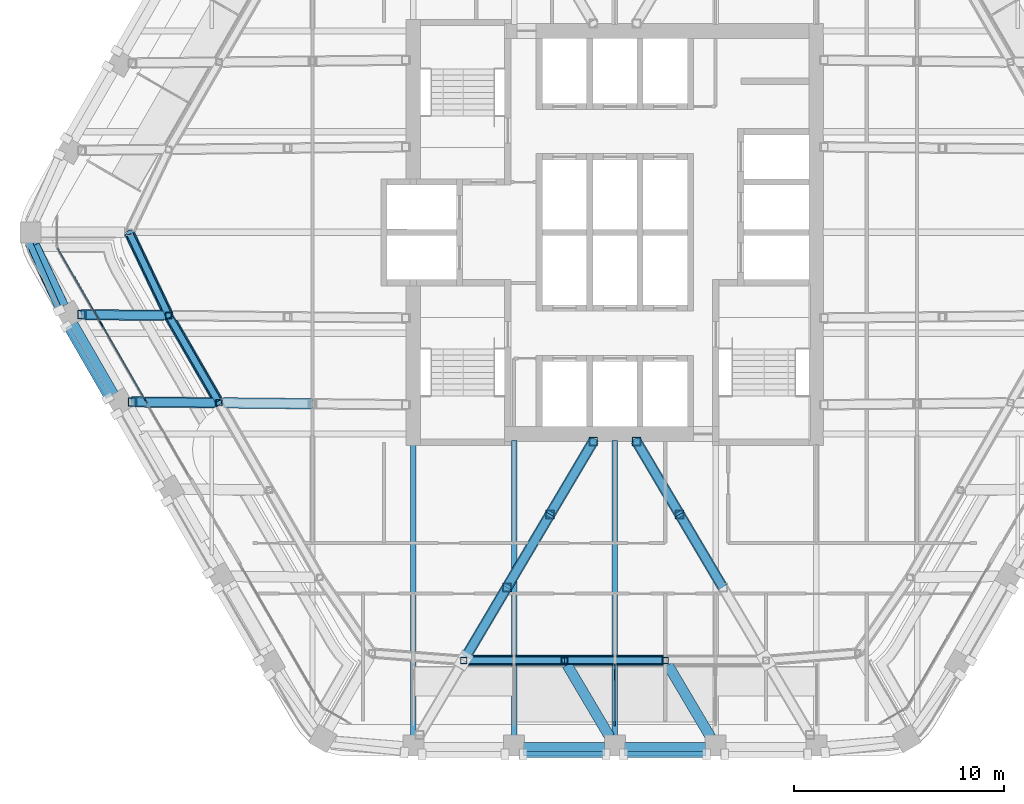
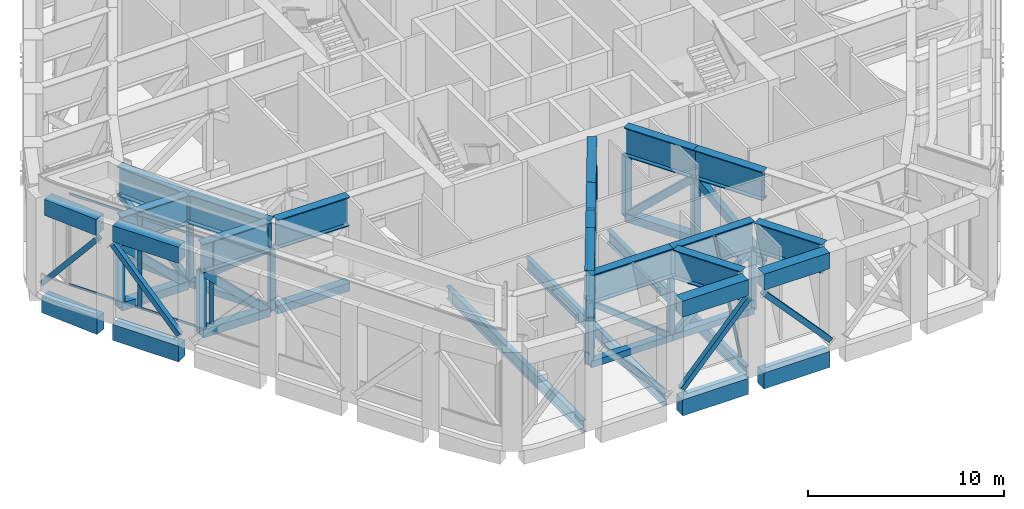
# One storey, part 3 of 24: 46 members, 25 beams, 2 elements without a shape of their own.
"""IFC4 building model written with IfcOpenShell, lengths in metres."""

from ifc_helpers import new_model, si_unit, direction, frame, origin, origin_2d, place, context, subcontext, project, spatial, rectangle, hollow_rectangle, i_section, extrude, material, material_profile, profile_set, type_object, element, aggregate, save


model = new_model("IFC4")

# Units and contexts
model_context = context("Model", 3, precision=1e-05, world=origin(), true_north=direction((0.0, 1.0)))
body_context = subcontext(model_context, "Body", "Model", "MODEL_VIEW")
ifc_project = project(units=[si_unit("LENGTHUNIT", "METRE"), si_unit("AREAUNIT", "SQUARE_METRE"), si_unit("VOLUMEUNIT", "CUBIC_METRE"), si_unit("PLANEANGLEUNIT", "RADIAN"), si_unit("MASSUNIT", "GRAM", prefix="KILO")], contexts=[model_context])

# Site, building, storey
site_placement = place(None, origin())
site = spatial("IfcSite", under=ifc_project, at=site_placement, CompositionType="ELEMENT")
building_placement = place(site_placement, origin())
building = spatial("IfcBuilding", under=site, at=building_placement, Name="Kolab Exchange Tower", CompositionType="ELEMENT")
storey_placement = place(building_placement, frame((0.0, 0.0, 216.800048828125)))
storey = spatial("IfcBuildingStorey", under=building, at=storey_placement, Name="L47", CompositionType="ELEMENT", Elevation=216.800048828125)

# Members
ifc_material_1 = material(Name="Steel S355", Category="steel")
ifc_material_profile_1 = material_profile(ifc_material_1, hollow_rectangle(XDim=0.300048828125, YDim=0.300048828125, WallThickness=0.01611328125, at=origin_2d()), Name="HSS300X300X16")
ifc_profile_set_1 = profile_set([ifc_material_profile_1], Name="Steel S355")
member_type_1 = type_object("IfcMemberType", Name="BELT TRUSS BRACE HSS300X300X16", PredefinedType="BRACE", material=ifc_profile_set_1)
for number, where, z_axis, x_axis, name in (
    (1, (2.39990234375, -20.384521484375, 4.050048828125), (-0.784029651106, 0.0, -0.62072337332), (0.0, -1.0, 0.0), "mem/L47/ring/d-F4-03"),
    (2, (-2.39990234375, -20.384521484375, 0.25), (-0.784045015832, 0.0, 0.620703965791), (0.0, -1.0, 0.0), "mem/L47/ring/d-F4-04"),
):
    element("IfcMember", number, at=place(storey_placement, frame(where, z_axis=z_axis, x_axis=x_axis)), inside=storey, type_object=member_type_1, Name=name, PredefinedType="BRACE", context=body_context, shape_type="SweptSolid", body=[
        extrude(hollow_rectangle(XDim=0.300048828125, YDim=0.300048828125, WallThickness=0.01611328125, at=origin_2d()), origin(), (0.0, 0.0, 1.0), 6.1220703125),
    ])
member_1_placement = place(storey_placement, frame((-18.853515625, -8.11376953125, 4.050048828125), z_axis=(-0.392038591319, 0.678999195849, -0.620697861244), x_axis=(-0.866015339567, -0.500017431331, 0.0)))
element("IfcMember", 3, at=member_1_placement, inside=storey, type_object=member_type_1, Name="mem/L47/ring/d-F5-04", PredefinedType="BRACE", context=body_context, shape_type="SweptSolid", body=[
    extrude(hollow_rectangle(XDim=0.300048828125, YDim=0.300048828125, WallThickness=0.01611328125, at=origin_2d()), origin(), (0.0, 0.0, 1.0), 6.122314453125),
])
member_2_placement = place(storey_placement, frame((-21.253662109375, -3.956787109375, 0.25), z_axis=(-0.324540203016, 0.682207920918, 0.655183950706), x_axis=(-0.903025238378, -0.429587498482, 0.0)))
element("IfcMember", 4, at=member_2_placement, inside=storey, type_object=member_type_1, Name="mem/L47/ring/d-F5-05", PredefinedType="BRACE", context=body_context, shape_type="SweptSolid", body=[
    extrude(hollow_rectangle(XDim=0.300048828125, YDim=0.300048828125, WallThickness=0.01611328125, at=origin_2d()), origin(), (0.0, 0.0, 1.0), 5.800048828125),
])
for number, where, z_axis, x_axis, name in (
    (5, (4.3671875, -24.864990234375, 0.39990234375), (-0.675035778984, 0.0, 0.73778499381), (0.0, -1.0, 0.0), "mem/L47/fb/F4-03"),
    (6, (-0.432861328125, -24.864990234375, 4.699951171875), (-0.675035778984, 0.0, -0.73778499381), (0.0, -1.0, 0.0), "mem/L47/fb/F4-04"),
):
    element("IfcMember", number, at=place(storey_placement, frame(where, z_axis=z_axis, x_axis=x_axis)), inside=storey, type_object=member_type_1, Name=name, PredefinedType="BRACE", context=body_context, shape_type="SweptSolid", body=[
        extrude(hollow_rectangle(XDim=0.300048828125, YDim=0.300048828125, WallThickness=0.01611328125, at=origin_2d()), origin(), (0.0, 0.0, 1.0), 5.828369140625),
    ])
member_3_placement = place(storey_placement, frame((-24.150390625, -7.900634765625, 0.39990234375), z_axis=(-0.337470471595, 0.584582973076, 0.737818696152), x_axis=(-0.866050206543, -0.499957037901, 0.0)))
element("IfcMember", 7, at=member_3_placement, inside=storey, type_object=member_type_1, Name="mem/L47/fb/F5-05", PredefinedType="BRACE", context=body_context, shape_type="SweptSolid", body=[
    extrude(hollow_rectangle(XDim=0.300048828125, YDim=0.300048828125, WallThickness=0.01611328125, at=origin_2d()), origin(), (0.0, 0.0, 1.0), 5.828125),
])
member_4_placement = place(storey_placement, frame((-26.47412109375, -3.69921875, 4.699951171875), z_axis=(-0.257411493708, 0.584668732952, -0.769351542285), x_axis=(-0.915224267781, -0.402944834519, 0.0)))
element("IfcMember", 8, at=member_4_placement, inside=storey, type_object=member_type_1, Name="mem/L47/fb/F5-06", PredefinedType="BRACE", context=body_context, shape_type="SweptSolid", body=[
    extrude(hollow_rectangle(XDim=0.300048828125, YDim=0.300048828125, WallThickness=0.01611328125, at=origin_2d()), origin(), (0.0, 0.0, 1.0), 5.589111328125),
])
ifc_material_profile_2 = material_profile(ifc_material_1, hollow_rectangle(XDim=0.39990234375, YDim=0.39990234375, WallThickness=0.02001953125, at=origin_2d()), Name="HSS400X400X20")
ifc_profile_set_2 = profile_set([ifc_material_profile_2], Name="Steel S355")
member_type_2 = type_object("IfcMemberType", Name="BELT TRUSS CHORD HSS400X400X20", PredefinedType="CHORD", material=ifc_profile_set_2)
member_5_placement = place(storey_placement, frame((2.39990234375, -20.384521484375, 0.25), z_axis=(-1.0, 0.0, 0.0), x_axis=(0.0, -1.0, 0.0)))
element("IfcMember", 9, at=member_5_placement, inside=storey, type_object=member_type_2, Name="mem/L47/ring/c-F4-03", PredefinedType="CHORD", context=body_context, shape_type="SweptSolid", body=[
    extrude(hollow_rectangle(XDim=0.39990234375, YDim=0.39990234375, WallThickness=0.02001953125, at=origin_2d()), origin(), (0.0, 0.0, 1.0), 4.7998046875),
])
for number, where, z_axis, x_axis, name in (
    (10, (-2.39990234375, -20.384521484375, 0.25), (-1.0, 0.0, 0.0), (0.0, -1.0, 0.0), "mem/L47/ring/c-F4-04"),
    (11, (-18.853515625, -8.11376953125, 0.25), (-0.500017431331, 0.866015339567, 0.0), (-0.866015339567, -0.500017431331, 0.0), "mem/L47/ring/c-F5-04"),
):
    element("IfcMember", number, at=place(storey_placement, frame(where, z_axis=z_axis, x_axis=x_axis)), inside=storey, type_object=member_type_2, Name=name, PredefinedType="CHORD", context=body_context, shape_type="SweptSolid", body=[
        extrude(hollow_rectangle(XDim=0.39990234375, YDim=0.39990234375, WallThickness=0.02001953125, at=origin_2d()), origin(), (0.0, 0.0, 1.0), 4.800048828125),
    ])
member_6_placement = place(storey_placement, frame((-21.253662109375, -3.956787109375, 0.25), z_axis=(-0.429587498482, 0.903025238378, 0.0), x_axis=(-0.903025238378, -0.429587498482, 0.0)))
element("IfcMember", 12, at=member_6_placement, inside=storey, type_object=member_type_2, Name="mem/L47/ring/c-F5-05", PredefinedType="CHORD", context=body_context, shape_type="SweptSolid", body=[
    extrude(hollow_rectangle(XDim=0.39990234375, YDim=0.39990234375, WallThickness=0.02001953125, at=origin_2d()), origin(), (0.0, 0.0, 1.0), 4.381591796875),
])

# Beams
ifc_material_profile_3 = material_profile(ifc_material_1, i_section(OverallWidth=0.5, OverallDepth=1.800048828125, WebThickness=0.031982421875, FlangeThickness=0.050048828125, at=origin_2d()), Name="PG1800X500")
ifc_profile_set_3 = profile_set([ifc_material_profile_3], Name="Steel S355")
beam_type_1 = type_object("IfcBeamType", Name="BELT TRUSS GIRDER PG1800X500", PredefinedType="BEAM", material=ifc_profile_set_3)
beam_1_placement = place(storey_placement, frame((2.39990234375, -20.384521484375, 4.949951171875), z_axis=(-1.0, 0.0, 0.0), x_axis=(0.0, -1.0, 0.0)))
element("IfcBeam", 13, at=beam_1_placement, inside=storey, type_object=beam_type_1, Name="beam/L47/bg/F4-run1", PredefinedType="BEAM", context=body_context, shape_type="SweptSolid", body=[
    extrude(i_section(OverallWidth=0.5, OverallDepth=1.800048828125, WebThickness=0.031982421875, FlangeThickness=0.050048828125, at=origin_2d()), origin(), (0.0, 0.0, 1.0), 4.7998046875),
])
for number, where, z_axis, x_axis, name in (
    (14, (-2.39990234375, -20.384521484375, 4.949951171875), (-1.0, 0.0, 0.0), (0.0, -1.0, 0.0), "beam/L47/bg/F4-run2"),
    (15, (-18.853515625, -8.11376953125, 4.949951171875), (-0.500017431331, 0.866015339567, 0.0), (-0.866015339567, -0.500017431331, 0.0), "beam/L47/bg/F5-run2"),
):
    element("IfcBeam", number, at=place(storey_placement, frame(where, z_axis=z_axis, x_axis=x_axis)), inside=storey, type_object=beam_type_1, Name=name, PredefinedType="BEAM", context=body_context, shape_type="SweptSolid", body=[
        extrude(i_section(OverallWidth=0.5, OverallDepth=1.800048828125, WebThickness=0.031982421875, FlangeThickness=0.050048828125, at=origin_2d()), origin(), (0.0, 0.0, 1.0), 4.800048828125),
    ])
beam_2_placement = place(storey_placement, frame((-21.253662109375, -3.956787109375, 4.949951171875), z_axis=(-0.429587498482, 0.903025238378, 0.0), x_axis=(-0.903025238378, -0.429587498482, 0.0)))
element("IfcBeam", 16, at=beam_2_placement, inside=storey, type_object=beam_type_1, Name="beam/L47/bg/F5-out", PredefinedType="BEAM", context=body_context, shape_type="SweptSolid", body=[
    extrude(i_section(OverallWidth=0.5, OverallDepth=1.800048828125, WebThickness=0.031982421875, FlangeThickness=0.050048828125, at=origin_2d()), origin(), (0.0, 0.0, 1.0), 4.381591796875),
])

# Members
ifc_material_profile_4 = material_profile(ifc_material_1, hollow_rectangle(XDim=0.300048828125, YDim=0.300048828125, WallThickness=0.01611328125, at=origin_2d()), Name="HSS300X300X16")
ifc_profile_set_4 = profile_set([ifc_material_profile_4], Name="Steel S355")
member_type_3 = type_object("IfcMemberType", Name="BELT TRUSS POST HSS300X300X16", PredefinedType="POST", material=ifc_profile_set_4)
for number, where, z_axis, x_axis, name in (
    (17, (2.39990234375, -20.384521484375, 0.25), (0.0, 0.0, 1.0), (1.0, 0.0, 0.0), "mem/L47/ring/p-F4-03"),
    (18, (-2.39990234375, -20.384521484375, 0.25), (0.0, 0.0, 1.0), (1.0, 0.0, 0.0), "mem/L47/ring/p-F4-04"),
    (19, (-7.199951171875, -20.384521484375, 0.25), (0.0, 0.0, 1.0), (1.0, 0.0, 0.0), "mem/L47/ring/p-F4-05"),
    (20, (-18.853515625, -8.11376953125, 0.25), (0.0, 0.0, 1.0), (1.0, 0.0, 0.0), "mem/L47/ring/p-F5-04"),
    (21, (-21.253662109375, -3.956787109375, 0.25), (0.0, 0.0, 1.0), (1.0, 0.0, 0.0), "mem/L47/ring/p-F5-05"),
):
    element("IfcMember", number, at=place(storey_placement, frame(where, z_axis=z_axis, x_axis=x_axis)), inside=storey, type_object=member_type_3, Name=name, PredefinedType="POST", context=body_context, shape_type="SweptSolid", body=[
        extrude(hollow_rectangle(XDim=0.300048828125, YDim=0.300048828125, WallThickness=0.01611328125, at=origin_2d()), origin(), (0.0, 0.0, 1.0), 3.800048828125),
    ])

# Curtain wall, member
ifc_material_2 = material(Name="Aluminium EN AW-6063 T6", Category="aluminium")
curtain_wall_type_1 = type_object("IfcCurtainWallType", Name="CANTED BAND CURTAIN WALL", PredefinedType="NOTDEFINED", material=ifc_material_2)
curtain_wall_1_placement = place(storey_placement, origin())
curtain_wall_1 = element("IfcCurtainWall", 22, at=curtain_wall_1_placement, inside=storey, type_object=curtain_wall_type_1, Name="band/L47/F4", PredefinedType="NOTDEFINED")
ifc_material_profile_5 = material_profile(ifc_material_2, rectangle(XDim=0.06005859375, YDim=0.300048828125, at=origin_2d()), Name="RECT 60X300")
ifc_profile_set_5 = profile_set([ifc_material_profile_5], Name="Aluminium EN AW-6063 T6")
member_type_4 = type_object("IfcMemberType", Name="CANTED BAND MULLION 60 X 300", PredefinedType="MULLION", material=ifc_profile_set_5)
member_7_placement = place(storey_placement, frame((0.0, -23.361572265625, -0.10009765625), z_axis=(0.0, 0.410878778787, 0.911689985216), x_axis=(-1.0, 0.0, 0.0)))
member_7 = element("IfcMember", 23, at=member_7_placement, type_object=member_type_4, Name="Band mullion", PredefinedType="MULLION", context=body_context, shape_type="SweptSolid", body=[
    extrude(rectangle(XDim=0.06005859375, YDim=0.300048828125, at=origin_2d()), origin(), (0.0, 0.0, 1.0), 6.515380859375),
])
aggregate(curtain_wall_1, [member_7])

# Beams
ifc_material_profile_6 = material_profile(ifc_material_1, i_section(OverallWidth=0.26708984375, OverallDepth=0.761962890625, WebThickness=0.014404296875, FlangeThickness=0.021484375, at=origin_2d()), Name="W760X173")
ifc_profile_set_6 = profile_set([ifc_material_profile_6], Name="Steel S355")
beam_type_2 = type_object("IfcBeamType", Name="FLOOR BEAM W760X173", PredefinedType="BEAM", material=ifc_profile_set_6)
beam_3_placement = place(storey_placement, frame((-9.60009765625, -23.9814453125, -0.68115234375), z_axis=(0.0, 1.0, 0.0), x_axis=(-1.0, 0.0, 0.0)))
element("IfcBeam", 24, at=beam_3_placement, inside=storey, type_object=beam_type_2, Name="beam/L47/fr/007", PredefinedType="BEAM", context=body_context, shape_type="SweptSolid", body=[
    extrude(i_section(OverallWidth=0.26708984375, OverallDepth=0.761962890625, WebThickness=0.014404296875, FlangeThickness=0.021484375, at=origin_2d()), origin(), (0.0, 0.0, 1.0), 13.871337890625),
])
for number, where, z_axis, x_axis, name in (
    (25, (-4.800048828125, -23.9814453125, -0.68115234375), (0.0, 1.0, 0.0), (-1.0, 0.0, 0.0), "beam/L47/fr/009"),
    (26, (0.0, -23.9814453125, -0.68115234375), (0.0, 1.0, 0.0), (-1.0, 0.0, 0.0), "beam/L47/fr/011"),
):
    element("IfcBeam", number, at=place(storey_placement, frame(where, z_axis=z_axis, x_axis=x_axis)), inside=storey, type_object=beam_type_2, Name=name, PredefinedType="BEAM", context=body_context, shape_type="SweptSolid", body=[
        extrude(i_section(OverallWidth=0.26708984375, OverallDepth=0.761962890625, WebThickness=0.014404296875, FlangeThickness=0.021484375, at=origin_2d()), origin(), (0.0, 0.0, 1.0), 14.071533203125),
    ])

# Members
ifc_material_profile_7 = material_profile(ifc_material_1, hollow_rectangle(XDim=0.39990234375, YDim=0.39990234375, WallThickness=0.02001953125, at=origin_2d()), Name="HSS400X400X20")
ifc_profile_set_7 = profile_set([ifc_material_profile_7], Name="Steel S355")
member_type_5 = type_object("IfcMemberType", Name="OUTRIGGER BRACE HSS400X400X20", PredefinedType="BRACE", material=ifc_profile_set_7)
for number, where, z_axis, x_axis, name in (
    (27, (1.027099609375, -9.949951171875, 0.25), (0.370922315511, -0.627020672649, 0.685026796503), (0.860679878671, 0.509146488204, 0.0), "mem/L47/out/06/d00"),
    (28, (3.084716796875, -13.42822265625, 4.050048828125), (0.370922315511, -0.627020672649, -0.685026796503), (0.860679878671, 0.509146488204, 0.0), "mem/L47/out/06/d01"),
    (29, (-1.027099609375, -9.949951171875, 0.25), (-0.370922315511, -0.627020672649, 0.685026796503), (0.860679878671, -0.509146488204, 0.0), "mem/L47/out/07/d00"),
    (30, (-3.084716796875, -13.42822265625, 4.050048828125), (-0.370922315511, -0.627020672649, -0.685026796503), (0.860679878671, -0.509146488204, 0.0), "mem/L47/out/07/d01"),
):
    element("IfcMember", number, at=place(storey_placement, frame(where, z_axis=z_axis, x_axis=x_axis)), inside=storey, type_object=member_type_5, Name=name, PredefinedType="BRACE", context=body_context, shape_type="SweptSolid", body=[
        extrude(hollow_rectangle(XDim=0.39990234375, YDim=0.39990234375, WallThickness=0.02001953125, at=origin_2d()), origin(), (0.0, 0.0, 1.0), 5.54736328125),
    ])
member_8_placement = place(storey_placement, frame((-5.142333984375, -16.906494140625, 0.25), z_axis=(-0.361497251898, -0.61106156247, 0.704218363679), x_axis=(0.86067015266, -0.509162929051, 0.0)))
element("IfcMember", 31, at=member_8_placement, inside=storey, type_object=member_type_5, Name="mem/L47/out/07/d02", PredefinedType="BRACE", context=body_context, shape_type="SweptSolid", body=[
    extrude(hollow_rectangle(XDim=0.39990234375, YDim=0.39990234375, WallThickness=0.02001953125, at=origin_2d()), origin(), (0.0, 0.0, 1.0), 5.396240234375),
])
for number, where, z_axis, x_axis, name in (
    (32, (-19.063720703125, -8.111572265625, 0.25), (-0.718195745705, 0.007599481935, 0.695799625414), (-0.010580759602, -0.999944022196, 0.0), "mem/L47/out/08/d02"),
    (33, (-21.463623046875, -3.95458984375, 0.25), (-0.718195745705, 0.007599481935, 0.695799625414), (-0.010580759602, -0.999944022196, 0.0), "mem/L47/out/09/d02"),
):
    element("IfcMember", number, at=place(storey_placement, frame(where, z_axis=z_axis, x_axis=x_axis)), inside=storey, type_object=member_type_5, Name=name, PredefinedType="BRACE", context=body_context, shape_type="SweptSolid", body=[
        extrude(hollow_rectangle(XDim=0.39990234375, YDim=0.39990234375, WallThickness=0.02001953125, at=origin_2d()), origin(), (0.0, 0.0, 1.0), 5.46142578125),
    ])
ifc_material_profile_8 = material_profile(ifc_material_1, hollow_rectangle(XDim=0.5, YDim=0.5, WallThickness=0.02490234375, at=origin_2d()), Name="HSS500X500X25")
ifc_profile_set_8 = profile_set([ifc_material_profile_8], Name="Steel S355")
member_type_6 = type_object("IfcMemberType", Name="OUTRIGGER CHORD HSS500X500X25", PredefinedType="CHORD", material=ifc_profile_set_8)
for number, where, z_axis, x_axis, name in (
    (34, (1.027099609375, -9.949951171875, 0.25), (0.509146488204, -0.860679878671, 0.0), (0.860679878671, 0.509146488204, 0.0), "mem/L47/out/06/c00"),
    (35, (3.084716796875, -13.42822265625, 0.25), (0.509146488204, -0.860679878671, 0.0), (0.860679878671, 0.509146488204, 0.0), "mem/L47/out/06/c01"),
    (36, (-1.027099609375, -9.949951171875, 0.25), (-0.509146488204, -0.860679878671, 0.0), (0.860679878671, -0.509146488204, 0.0), "mem/L47/out/07/c00"),
    (37, (-3.084716796875, -13.42822265625, 0.25), (-0.509146488204, -0.860679878671, 0.0), (0.860679878671, -0.509146488204, 0.0), "mem/L47/out/07/c01"),
):
    element("IfcMember", number, at=place(storey_placement, frame(where, z_axis=z_axis, x_axis=x_axis)), inside=storey, type_object=member_type_6, Name=name, PredefinedType="CHORD", context=body_context, shape_type="SweptSolid", body=[
        extrude(hollow_rectangle(XDim=0.5, YDim=0.5, WallThickness=0.02490234375, at=origin_2d()), origin(), (0.0, 0.0, 1.0), 4.041259765625),
    ])
member_9_placement = place(storey_placement, frame((-5.142333984375, -16.906494140625, 0.25), z_axis=(-0.509162929051, -0.86067015266, 0.0), x_axis=(0.86067015266, -0.509162929051, 0.0)))
element("IfcMember", 38, at=member_9_placement, inside=storey, type_object=member_type_6, Name="mem/L47/out/07/c02", PredefinedType="CHORD", context=body_context, shape_type="SweptSolid", body=[
    extrude(hollow_rectangle(XDim=0.5, YDim=0.5, WallThickness=0.02490234375, at=origin_2d()), origin(), (0.0, 0.0, 1.0), 3.8310546875),
])
member_10_placement = place(storey_placement, frame((-14.40185546875, -8.1611328125, 0.25), z_axis=(-0.999943924974, 0.01058994372, 0.0), x_axis=(-0.01058994372, -0.999943924974, 0.0)))
element("IfcMember", 39, at=member_10_placement, inside=storey, type_object=member_type_6, Name="mem/L47/out/08/c01", PredefinedType="CHORD", context=body_context, shape_type="SweptSolid", body=[
    extrude(hollow_rectangle(XDim=0.5, YDim=0.5, WallThickness=0.02490234375, at=origin_2d()), origin(), (0.0, 0.0, 1.0), 4.241943359375),
])
for number, where, z_axis, x_axis, name in (
    (40, (-19.063720703125, -8.111572265625, 0.25), (-0.999944022196, 0.010580759602, 0.0), (-0.010580759602, -0.999944022196, 0.0), "mem/L47/out/08/c02"),
    (41, (-21.463623046875, -3.95458984375, 0.25), (-0.999944022196, 0.010580759602, 0.0), (-0.010580759602, -0.999944022196, 0.0), "mem/L47/out/09/c02"),
):
    element("IfcMember", number, at=place(storey_placement, frame(where, z_axis=z_axis, x_axis=x_axis)), inside=storey, type_object=member_type_6, Name=name, PredefinedType="CHORD", context=body_context, shape_type="SweptSolid", body=[
        extrude(hollow_rectangle(XDim=0.5, YDim=0.5, WallThickness=0.02490234375, at=origin_2d()), origin(), (0.0, 0.0, 1.0), 3.922607421875),
    ])

# Beams
ifc_material_profile_9 = material_profile(ifc_material_1, i_section(OverallWidth=0.5, OverallDepth=1.800048828125, WebThickness=0.031982421875, FlangeThickness=0.050048828125, at=origin_2d()), Name="PG1800X500")
ifc_profile_set_9 = profile_set([ifc_material_profile_9], Name="Steel S355")
beam_type_3 = type_object("IfcBeamType", Name="OUTRIGGER GIRDER PG1800X500", PredefinedType="BEAM", material=ifc_profile_set_9)
beam_4_placement = place(storey_placement, frame((1.006591796875, -9.91552734375, 4.949951171875), z_axis=(0.509172613949, -0.860664423108, 0.0), x_axis=(0.860664423108, 0.509172613949, 0.0)))
element("IfcBeam", 42, at=beam_4_placement, inside=storey, type_object=beam_type_3, Name="beam/L47/og/06-00", PredefinedType="BEAM", context=body_context, shape_type="SweptSolid", body=[
    extrude(i_section(OverallWidth=0.5, OverallDepth=1.800048828125, WebThickness=0.031982421875, FlangeThickness=0.050048828125, at=origin_2d()), origin(), (0.0, 0.0, 1.0), 4.081298828125),
])
beam_5_placement = place(storey_placement, frame((3.084716796875, -13.42822265625, 4.949951171875), z_axis=(0.509146488204, -0.860679878671, 0.0), x_axis=(0.860679878671, 0.509146488204, 0.0)))
element("IfcBeam", 43, at=beam_5_placement, inside=storey, type_object=beam_type_3, Name="beam/L47/og/06-01", PredefinedType="BEAM", context=body_context, shape_type="SweptSolid", body=[
    extrude(i_section(OverallWidth=0.5, OverallDepth=1.800048828125, WebThickness=0.031982421875, FlangeThickness=0.050048828125, at=origin_2d()), origin(), (0.0, 0.0, 1.0), 4.041259765625),
])
beam_6_placement = place(storey_placement, frame((-1.006591796875, -9.91552734375, 4.949951171875), z_axis=(-0.509172613949, -0.860664423108, 0.0), x_axis=(0.860664423108, -0.509172613949, 0.0)))
element("IfcBeam", 44, at=beam_6_placement, inside=storey, type_object=beam_type_3, Name="beam/L47/og/07-00", PredefinedType="BEAM", context=body_context, shape_type="SweptSolid", body=[
    extrude(i_section(OverallWidth=0.5, OverallDepth=1.800048828125, WebThickness=0.031982421875, FlangeThickness=0.050048828125, at=origin_2d()), origin(), (0.0, 0.0, 1.0), 4.081298828125),
])
beam_7_placement = place(storey_placement, frame((-3.084716796875, -13.42822265625, 4.949951171875), z_axis=(-0.509146488204, -0.860679878671, 0.0), x_axis=(0.860679878671, -0.509146488204, 0.0)))
element("IfcBeam", 45, at=beam_7_placement, inside=storey, type_object=beam_type_3, Name="beam/L47/og/07-01", PredefinedType="BEAM", context=body_context, shape_type="SweptSolid", body=[
    extrude(i_section(OverallWidth=0.5, OverallDepth=1.800048828125, WebThickness=0.031982421875, FlangeThickness=0.050048828125, at=origin_2d()), origin(), (0.0, 0.0, 1.0), 4.041259765625),
])
beam_8_placement = place(storey_placement, frame((-5.142333984375, -16.906494140625, 4.949951171875), z_axis=(-0.509162929051, -0.86067015266, 0.0), x_axis=(0.86067015266, -0.509162929051, 0.0)))
element("IfcBeam", 46, at=beam_8_placement, inside=storey, type_object=beam_type_3, Name="beam/L47/og/07-02", PredefinedType="BEAM", context=body_context, shape_type="SweptSolid", body=[
    extrude(i_section(OverallWidth=0.5, OverallDepth=1.800048828125, WebThickness=0.031982421875, FlangeThickness=0.050048828125, at=origin_2d()), origin(), (0.0, 0.0, 1.0), 3.8310546875),
])
beam_9_placement = place(storey_placement, frame((-14.40185546875, -8.1611328125, 4.949951171875), z_axis=(-0.999943924974, 0.01058994372, 0.0), x_axis=(-0.01058994372, -0.999943924974, 0.0)))
element("IfcBeam", 47, at=beam_9_placement, inside=storey, type_object=beam_type_3, Name="beam/L47/og/08-01", PredefinedType="BEAM", context=body_context, shape_type="SweptSolid", body=[
    extrude(i_section(OverallWidth=0.5, OverallDepth=1.800048828125, WebThickness=0.031982421875, FlangeThickness=0.050048828125, at=origin_2d()), origin(), (0.0, 0.0, 1.0), 4.241943359375),
])
for number, where, z_axis, x_axis, name in (
    (48, (-19.063720703125, -8.111572265625, 4.949951171875), (-0.999943849545, 0.010597063593, 0.0), (-0.010597063593, -0.999943849545, 0.0), "beam/L47/og/08-02"),
    (49, (-21.463623046875, -3.95458984375, 4.949951171875), (-0.999943849545, 0.010597063593, 0.0), (-0.010597063593, -0.999943849545, 0.0), "beam/L47/og/09-02"),
):
    element("IfcBeam", number, at=place(storey_placement, frame(where, z_axis=z_axis, x_axis=x_axis)), inside=storey, type_object=beam_type_3, Name=name, PredefinedType="BEAM", context=body_context, shape_type="SweptSolid", body=[
        extrude(i_section(OverallWidth=0.5, OverallDepth=1.800048828125, WebThickness=0.031982421875, FlangeThickness=0.050048828125, at=origin_2d()), origin(), (0.0, 0.0, 1.0), 3.962646484375),
    ])

# Members
ifc_material_profile_10 = material_profile(ifc_material_1, hollow_rectangle(XDim=0.39990234375, YDim=0.39990234375, WallThickness=0.02001953125, at=origin_2d()), Name="HSS400X400X20")
ifc_profile_set_10 = profile_set([ifc_material_profile_10], Name="Steel S355")
member_type_7 = type_object("IfcMemberType", Name="OUTRIGGER POST HSS400X400X20", PredefinedType="POST", material=ifc_profile_set_10)
for number, where, z_axis, x_axis, name in (
    (50, (1.027099609375, -9.949951171875, 0.25), (0.0, 0.0, 1.0), (1.0, 0.0, 0.0), "mem/L47/out/06/p00"),
    (51, (3.084716796875, -13.42822265625, 0.25), (0.0, 0.0, 1.0), (1.0, 0.0, 0.0), "mem/L47/out/06/p01"),
    (52, (-1.027099609375, -9.949951171875, 0.25), (0.0, 0.0, 1.0), (1.0, 0.0, 0.0), "mem/L47/out/07/p00"),
    (53, (-3.084716796875, -13.42822265625, 0.25), (0.0, 0.0, 1.0), (1.0, 0.0, 0.0), "mem/L47/out/07/p01"),
    (54, (-5.142333984375, -16.906494140625, 0.25), (0.0, 0.0, 1.0), (1.0, 0.0, 0.0), "mem/L47/out/07/p02"),
    (55, (-22.986083984375, -8.070068359375, 0.25), (0.0, 0.0, 1.0), (1.0, 0.0, 0.0), "mem/L47/out/08/p03"),
    (56, (-25.385986328125, -3.9130859375, 0.25), (0.0, 0.0, 1.0), (1.0, 0.0, 0.0), "mem/L47/out/09/p03"),
):
    element("IfcMember", number, at=place(storey_placement, frame(where, z_axis=z_axis, x_axis=x_axis)), inside=storey, type_object=member_type_7, Name=name, PredefinedType="POST", context=body_context, shape_type="SweptSolid", body=[
        extrude(hollow_rectangle(XDim=0.39990234375, YDim=0.39990234375, WallThickness=0.02001953125, at=origin_2d()), origin(), (0.0, 0.0, 1.0), 3.800048828125),
    ])

# Beams
ifc_material_3 = material(Name="Concrete C60/75", Category="concrete")
ifc_material_profile_11 = material_profile(ifc_material_3, rectangle(XDim=0.64990234375, YDim=1.0, at=origin_2d()), Name="RC650X1000")
ifc_profile_set_11 = profile_set([ifc_material_profile_11], Name="Concrete C60/75")
beam_type_4 = type_object("IfcBeamType", Name="SPANDREL BEAM 650X1000 C60/75", PredefinedType="BEAM", material=ifc_profile_set_11)
for number, where, z_axis, x_axis, name in (
    (57, (4.340087890625, -24.616455078125, -0.800048828125), (-1.0, 0.0, 0.0), (0.0, -1.0, 0.0), "beam/L47/sp/F4-03"),
    (58, (-0.4599609375, -24.616455078125, -0.800048828125), (-1.0, 0.0, 0.0), (0.0, -1.0, 0.0), "beam/L47/sp/F4-04"),
):
    element("IfcBeam", number, at=place(storey_placement, frame(where, z_axis=z_axis, x_axis=x_axis)), inside=storey, type_object=beam_type_4, Name=name, PredefinedType="BEAM", context=body_context, shape_type="SweptSolid", body=[
        extrude(rectangle(XDim=0.64990234375, YDim=1.0, at=origin_2d()), origin(), (0.0, 0.0, 1.0), 3.880126953125),
    ])
beam_10_placement = place(storey_placement, frame((-23.948486328125, -7.7529296875, -0.800048828125), z_axis=(-0.499996613652, 0.866027358884, 0.0), x_axis=(-0.866027358884, -0.499996613652, 0.0)))
element("IfcBeam", 59, at=beam_10_placement, inside=storey, type_object=beam_type_4, Name="beam/L47/sp/F5-05", PredefinedType="BEAM", context=body_context, shape_type="SweptSolid", body=[
    extrude(rectangle(XDim=0.64990234375, YDim=1.0, at=origin_2d()), origin(), (0.0, 0.0, 1.0), 3.8798828125),
])
beam_11_placement = place(storey_placement, frame((-26.316162109375, -3.5771484375, -0.800048828125), z_axis=(-0.428177731975, 0.903694544545, 0.0), x_axis=(-0.903694544545, -0.428177731975, 0.0)))
element("IfcBeam", 60, at=beam_11_placement, inside=storey, type_object=beam_type_4, Name="beam/L47/sp/F5-06", PredefinedType="BEAM", context=body_context, shape_type="SweptSolid", body=[
    extrude(rectangle(XDim=0.64990234375, YDim=1.0, at=origin_2d()), origin(), (0.0, 0.0, 1.0), 3.445068359375),
])
for number, where, z_axis, x_axis, name in (
    (61, (4.340087890625, -24.616455078125, 5.349853515625), (-1.0, 0.0, 0.0), (0.0, -1.0, 0.0), "beam/L47/cp/F4-03"),
    (62, (-0.4599609375, -24.616455078125, 5.349853515625), (-1.0, 0.0, 0.0), (0.0, -1.0, 0.0), "beam/L47/cp/F4-04"),
):
    element("IfcBeam", number, at=place(storey_placement, frame(where, z_axis=z_axis, x_axis=x_axis)), inside=storey, type_object=beam_type_4, Name=name, PredefinedType="BEAM", context=body_context, shape_type="SweptSolid", body=[
        extrude(rectangle(XDim=0.64990234375, YDim=1.0, at=origin_2d()), origin(), (0.0, 0.0, 1.0), 3.880126953125),
    ])
beam_12_placement = place(storey_placement, frame((-23.948486328125, -7.7529296875, 5.349853515625), z_axis=(-0.499996613652, 0.866027358884, 0.0), x_axis=(-0.866027358884, -0.499996613652, 0.0)))
element("IfcBeam", 63, at=beam_12_placement, inside=storey, type_object=beam_type_4, Name="beam/L47/cp/F5-05", PredefinedType="BEAM", context=body_context, shape_type="SweptSolid", body=[
    extrude(rectangle(XDim=0.64990234375, YDim=1.0, at=origin_2d()), origin(), (0.0, 0.0, 1.0), 3.8798828125),
])
beam_13_placement = place(storey_placement, frame((-26.33935546875, -3.533935546875, 5.349853515625), z_axis=(-0.431584797896, 0.902072370836, 0.0), x_axis=(-0.902072370836, -0.431584797896, 0.0)))
element("IfcBeam", 64, at=beam_13_placement, inside=storey, type_object=beam_type_4, Name="beam/L47/cp/F5-06", PredefinedType="BEAM", context=body_context, shape_type="SweptSolid", body=[
    extrude(rectangle(XDim=0.64990234375, YDim=1.0, at=origin_2d()), origin(), (0.0, 0.0, 1.0), 3.206787109375),
])
ifc_material_profile_12 = material_profile(ifc_material_1, i_section(OverallWidth=0.5, OverallDepth=1.800048828125, WebThickness=0.031982421875, FlangeThickness=0.050048828125, at=origin_2d()), Name="PG1800X500")
ifc_profile_set_12 = profile_set([ifc_material_profile_12], Name="Steel S355")
beam_type_5 = type_object("IfcBeamType", Name="TRANSFER GIRDER PG1800X500", PredefinedType="BEAM", material=ifc_profile_set_12)
for number, where, z_axis, x_axis, name in (
    (65, (2.52734375, -20.599853515625, 4.949951171875), (0.509177309019, -0.860661645468, 0.0), (0.860661645468, 0.509177309019, 0.0), "beam/L47/tg/F4-03"),
    (66, (-2.272705078125, -20.599853515625, 4.949951171875), (0.509177309019, -0.860661645468, 0.0), (0.860661645468, 0.509177309019, 0.0), "beam/L47/tg/F4-04"),
):
    element("IfcBeam", number, at=place(storey_placement, frame(where, z_axis=z_axis, x_axis=x_axis)), inside=storey, type_object=beam_type_5, Name=name, PredefinedType="BEAM", context=body_context, shape_type="SweptSolid", body=[
        extrude(i_section(OverallWidth=0.5, OverallDepth=1.800048828125, WebThickness=0.031982421875, FlangeThickness=0.050048828125, at=origin_2d()), origin(), (0.0, 0.0, 1.0), 3.983642578125),
    ])

# Curtain wall, members
curtain_wall_type_2 = type_object("IfcCurtainWallType", Name="UNITISED UPPER MID ZONE DOUBLE HEIGHT BELT CURTAIN WALL", PredefinedType="NOTDEFINED", material=ifc_material_2)
curtain_wall_2_placement = place(storey_placement, origin())
curtain_wall_2 = element("IfcCurtainWall", 67, at=curtain_wall_2_placement, inside=storey, type_object=curtain_wall_type_2, Name="cw/L47/F5-2", PredefinedType="NOTDEFINED")
ifc_material_profile_13 = material_profile(ifc_material_2, rectangle(XDim=0.06005859375, YDim=0.260009765625, at=origin_2d()), Name="RECT 60X260")
ifc_profile_set_13 = profile_set([ifc_material_profile_13], Name="Aluminium EN AW-6063 T6")
member_type_8 = type_object("IfcMemberType", Name="UNITISED UPPER MID ZONE DOUBLE HEIGHT BELT MULLION 60 X 260", PredefinedType="MULLION", material=ifc_profile_set_13)
member_11_placement = place(storey_placement, frame((-22.343017578125, -8.02392578125, 0.0), z_axis=(0.0, 0.0, 1.0), x_axis=(-0.866025427826, -0.499999958358, 0.0)))
member_11 = element("IfcMember", 68, at=member_11_placement, type_object=member_type_8, Name="CW11 mullion 2", PredefinedType="MULLION", context=body_context, shape_type="SweptSolid", body=[
    extrude(rectangle(XDim=0.06005859375, YDim=0.260009765625, at=origin_2d()), origin(), (0.0, 0.0, 1.0), 5.699951171875),
])
member_12_placement = place(storey_placement, frame((-24.454345703125, -4.366943359375, 0.0), z_axis=(0.0, 0.0, 1.0), x_axis=(-0.866025427826, -0.499999958358, 0.0)))
member_12 = element("IfcMember", 69, at=member_12_placement, type_object=member_type_8, Name="CW11 mullion 3", PredefinedType="MULLION", context=body_context, shape_type="SweptSolid", body=[
    extrude(rectangle(XDim=0.06005859375, YDim=0.260009765625, at=origin_2d()), origin(), (0.0, 0.0, 1.0), 5.699951171875),
])
ifc_material_profile_14 = material_profile(ifc_material_2, rectangle(XDim=0.06005859375, YDim=0.139892578125, at=origin_2d()), Name="RECT 60X140")
ifc_profile_set_14 = profile_set([ifc_material_profile_14], Name="Aluminium EN AW-6063 T6")
member_type_9 = type_object("IfcMemberType", Name="UNITISED UPPER MID ZONE DOUBLE HEIGHT BELT TRANSOM 60 X 140", PredefinedType="USERDEFINED", material=ifc_profile_set_14)
member_13_placement = place(storey_placement, frame((-22.35791015625, -7.997802734375, 0.030029296875), z_axis=(-0.49999322259, 0.866029316688, 0.0), x_axis=(-0.866029316688, -0.49999322259, 0.0)))
member_13 = element("IfcMember", 70, at=member_13_placement, type_object=member_type_9, Name="CW11 transom 2.1", ObjectType="TRANSOM", PredefinedType="USERDEFINED", context=body_context, shape_type="SweptSolid", body=[
    extrude(rectangle(XDim=0.06005859375, YDim=0.139892578125, at=origin_2d()), origin(), (0.0, 0.0, 1.0), 4.16259765625),
])
member_14_placement = place(storey_placement, frame((-22.35791015625, -7.997802734375, 5.669921875), z_axis=(-0.49999322259, 0.866029316688, 0.0), x_axis=(-0.866029316688, -0.49999322259, 0.0)))
member_14 = element("IfcMember", 71, at=member_14_placement, type_object=member_type_9, Name="CW11 transom 2.2", ObjectType="TRANSOM", PredefinedType="USERDEFINED", context=body_context, shape_type="SweptSolid", body=[
    extrude(rectangle(XDim=0.06005859375, YDim=0.139892578125, at=origin_2d()), origin(), (0.0, 0.0, 1.0), 4.16259765625),
])
member_15_placement = place(storey_placement, frame((-24.46923828125, -4.3408203125, 0.030029296875), z_axis=(-0.500027577057, 0.866009481578, 0.0), x_axis=(-0.866009481578, -0.500027577057, 0.0)))
member_15 = element("IfcMember", 72, at=member_15_placement, type_object=member_type_9, Name="CW11 transom 3.1", ObjectType="TRANSOM", PredefinedType="USERDEFINED", context=body_context, shape_type="SweptSolid", body=[
    extrude(rectangle(XDim=0.06005859375, YDim=0.139892578125, at=origin_2d()), origin(), (0.0, 0.0, 1.0), 4.132568359375),
])
member_16_placement = place(storey_placement, frame((-24.46923828125, -4.3408203125, 5.669921875), z_axis=(-0.500027577057, 0.866009481578, 0.0), x_axis=(-0.866009481578, -0.500027577057, 0.0)))
member_16 = element("IfcMember", 73, at=member_16_placement, type_object=member_type_9, Name="CW11 transom 3.2", ObjectType="TRANSOM", PredefinedType="USERDEFINED", context=body_context, shape_type="SweptSolid", body=[
    extrude(rectangle(XDim=0.06005859375, YDim=0.139892578125, at=origin_2d()), origin(), (0.0, 0.0, 1.0), 4.132568359375),
])
aggregate(curtain_wall_2, [member_11, member_12, member_13, member_14, member_15, member_16])

save(model, "model.ifc")
